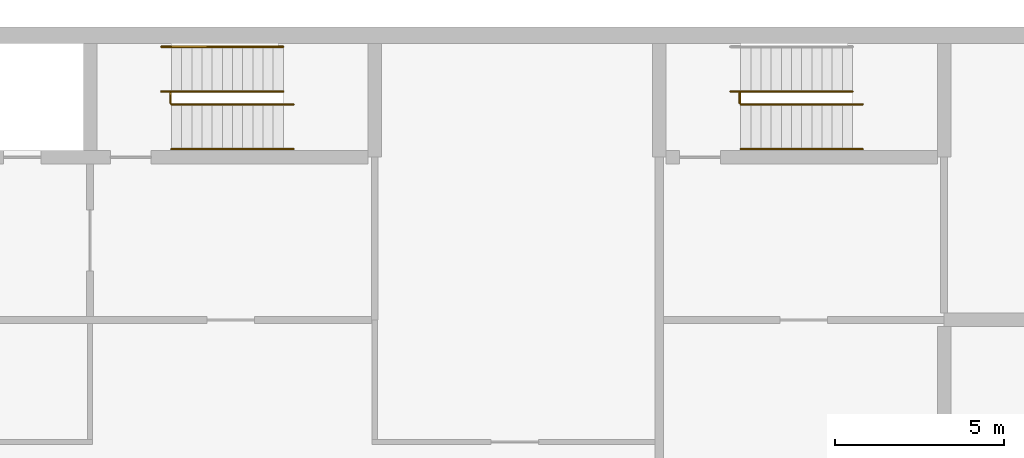
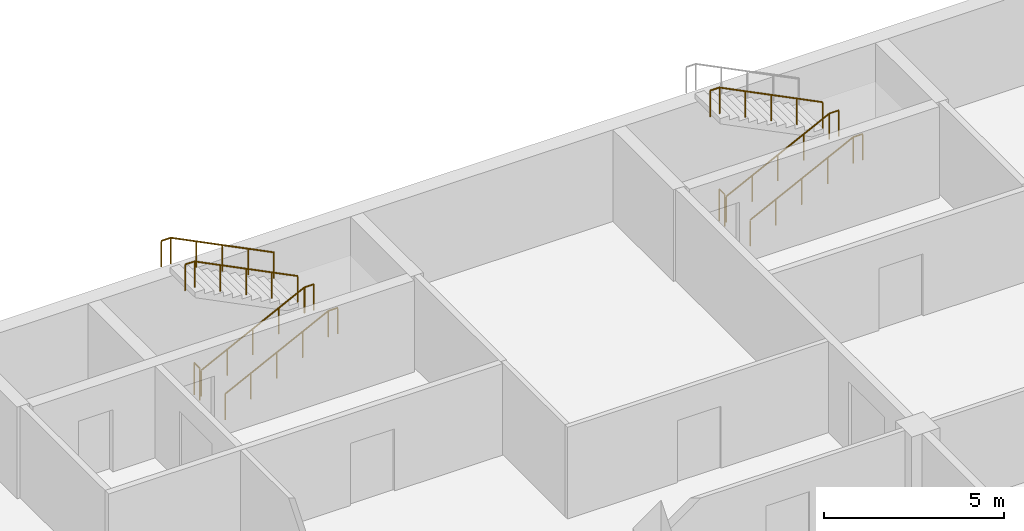
# One storey, part 9 of 12: 9 railings.
"""IFC4 building model written with IfcOpenShell, lengths in metres."""

from ifc_helpers import new_model, si_unit, direction, frame, origin, origin_2d, place, context, subcontext, project, spatial, circle, extrude, material, type_object, element, save


model = new_model("IFC4")

# Units and contexts
model_context = context("Model", 3, precision=1e-05, world=origin(), true_north=direction((0.0, 1.0)))
body_context = subcontext(model_context, "Body", "Model", "MODEL_VIEW")
ifc_project = project(units=[si_unit("LENGTHUNIT", "METRE"), si_unit("AREAUNIT", "SQUARE_METRE"), si_unit("VOLUMEUNIT", "CUBIC_METRE"), si_unit("PLANEANGLEUNIT", "RADIAN"), si_unit("MASSUNIT", "GRAM", prefix="KILO")], contexts=[model_context])

# Site, building, storey
site_placement = place(None, origin())
site = spatial("IfcSite", under=ifc_project, at=site_placement, CompositionType="ELEMENT")
building_placement = place(site_placement, origin())
building = spatial("IfcBuilding", under=site, at=building_placement, Name="Yavir Park General Hospital", CompositionType="ELEMENT")
storey_placement = place(building_placement, frame((0.0, 0.0, -7.800048828125)))
storey = spatial("IfcBuildingStorey", under=building, at=storey_placement, Name="B2", CompositionType="ELEMENT", Elevation=-7.800048828125)

# Railings
ifc_material_1 = material(Name="Steel balustrade with infill rods", Category="steel")
railing_type_1 = type_object("IfcRailingType", Name="Stair guard, steel balustrade 1100 mm", PredefinedType="GUARDRAIL", material=ifc_material_1)
for number, where, name in (
    (1, (52.77001953125, 31.60009765625, 0.0), "Stair well guard BS2 B2"),
    (2, (69.570068359375, 31.60009765625, 0.0), "Stair well guard BS3 B2"),
):
    element("IfcRailing", number, at=place(storey_placement, frame(where)), inside=storey, type_object=railing_type_1, Name=name, PredefinedType="GUARDRAIL", context=body_context, shape_type="SweptSolid", body=[
        extrude(circle(Radius=0.02392578125, at=origin_2d()), frame((0.0, 0.0, 1.076171875), z_axis=(0.0, 1.0, 0.0), x_axis=(-1.0, 0.0, 0.0)), (0.0, 0.0, 1.0), 0.2998046875),
        extrude(circle(Radius=0.02099609375, at=origin_2d()), origin(), (0.0, 0.0, 1.0), 1.052001953125),
        extrude(circle(Radius=0.02099609375, at=origin_2d()), frame((0.0, 0.2998046875, 0.0)), (0.0, 0.0, 1.0), 1.052001953125),
    ])
ifc_material_2 = material(Name="Stainless steel tube 48 mm", Category="steel")
railing_type_2 = type_object("IfcRailingType", Name="Stair handrail, steel tube, 900 mm above the nosings", PredefinedType="HANDRAIL", material=ifc_material_2)
for number, where, name in (
    (3, (52.800048828125, 30.239990234375, 0.150146484375), "Handrail BS2 B2 1"),
    (4, (52.800048828125, 31.56005859375, 0.150146484375), "Handrail BS2 B2 2"),
):
    element("IfcRailing", number, at=place(storey_placement, frame(where)), inside=storey, type_object=railing_type_2, Name=name, PredefinedType="HANDRAIL", context=body_context, shape_type="SweptSolid", body=[
        extrude(circle(Radius=0.02392578125, at=origin_2d()), frame((0.0, 0.0, 0.8759765625), z_axis=(0.894440424912, 0.0, 0.447187126696), x_axis=(0.0, 1.0, 0.0)), (0.0, 0.0, 1.0), 3.689453125),
        extrude(circle(Radius=0.02392578125, at=origin_2d()), frame((3.300048828125, 0.0, 2.52587890625), z_axis=(1.0, 0.0, 0.0), x_axis=(0.0, 1.0, 0.0)), (0.0, 0.0, 1.0), 0.2998046875),
        extrude(circle(Radius=0.02099609375, at=origin_2d()), origin(), (0.0, 0.0, 1.0), 0.851806640625),
        extrude(circle(Radius=0.02099609375, at=origin_2d()), frame((0.824951171875, 0.0, 0.41259765625)), (0.0, 0.0, 1.0), 0.851806640625),
        extrude(circle(Radius=0.02099609375, at=origin_2d()), frame((1.64990234375, 0.0, 0.824951171875)), (0.0, 0.0, 1.0), 0.851806640625),
        extrude(circle(Radius=0.02099609375, at=origin_2d()), frame((2.47509765625, 0.0, 1.2373046875)), (0.0, 0.0, 1.0), 0.851806640625),
        extrude(circle(Radius=0.02099609375, at=origin_2d()), frame((3.300048828125, 0.0, 1.64990234375)), (0.0, 0.0, 1.0), 0.851806640625),
        extrude(circle(Radius=0.02099609375, at=origin_2d()), frame((3.599853515625, 0.0, 1.64990234375)), (0.0, 0.0, 1.0), 0.851806640625),
    ])
for number, where, name in (
    (5, (56.10009765625, 33.260009765625, 1.949951171875), "Handrail BS2 B2 3"),
    (6, (56.10009765625, 31.93994140625, 1.949951171875), "Handrail BS2 B2 4"),
):
    element("IfcRailing", number, at=place(storey_placement, frame(where)), inside=storey, type_object=railing_type_2, Name=name, PredefinedType="HANDRAIL", context=body_context, shape_type="SweptSolid", body=[
        extrude(circle(Radius=0.02392578125, at=origin_2d()), frame((0.0, 0.0, 0.8759765625), z_axis=(-0.894413956696, 0.0, 0.447240063129), x_axis=(0.0, -1.0, 0.0)), (0.0, 0.0, 1.0), 3.689697265625),
        extrude(circle(Radius=0.02392578125, at=origin_2d()), frame((-3.300048828125, 0.0, 2.52587890625), z_axis=(-1.0, 0.0, 0.0), x_axis=(0.0, -1.0, 0.0)), (0.0, 0.0, 1.0), 0.300048828125),
        extrude(circle(Radius=0.02099609375, at=origin_2d()), origin(), (0.0, 0.0, 1.0), 0.851806640625),
        extrude(circle(Radius=0.02099609375, at=origin_2d()), frame((-0.824951171875, 0.0, 0.41259765625)), (0.0, 0.0, 1.0), 0.851806640625),
        extrude(circle(Radius=0.02099609375, at=origin_2d()), frame((-1.64990234375, 0.0, 0.8251953125)), (0.0, 0.0, 1.0), 0.851806640625),
        extrude(circle(Radius=0.02099609375, at=origin_2d()), frame((-2.47509765625, 0.0, 1.237548828125)), (0.0, 0.0, 1.0), 0.851806640625),
        extrude(circle(Radius=0.02099609375, at=origin_2d()), frame((-3.300048828125, 0.0, 1.650146484375)), (0.0, 0.0, 1.0), 0.851806640625),
        extrude(circle(Radius=0.02099609375, at=origin_2d()), frame((-3.60009765625, 0.0, 1.650146484375)), (0.0, 0.0, 1.0), 0.851806640625),
    ])
for number, where, name in (
    (7, (69.60009765625, 30.239990234375, 0.150146484375), "Handrail BS3 B2 1"),
    (8, (69.60009765625, 31.56005859375, 0.150146484375), "Handrail BS3 B2 2"),
):
    element("IfcRailing", number, at=place(storey_placement, frame(where)), inside=storey, type_object=railing_type_2, Name=name, PredefinedType="HANDRAIL", context=body_context, shape_type="SweptSolid", body=[
        extrude(circle(Radius=0.02392578125, at=origin_2d()), frame((0.0, 0.0, 0.8759765625), z_axis=(0.894427191, 0.0, 0.4472135955), x_axis=(0.0, 1.0, 0.0)), (0.0, 0.0, 1.0), 3.689208984375),
        extrude(circle(Radius=0.02392578125, at=origin_2d()), frame((3.2998046875, 0.0, 2.52587890625), z_axis=(1.0, 0.0, 0.0), x_axis=(0.0, 1.0, 0.0)), (0.0, 0.0, 1.0), 0.300048828125),
        extrude(circle(Radius=0.02099609375, at=origin_2d()), origin(), (0.0, 0.0, 1.0), 0.851806640625),
        extrude(circle(Radius=0.02099609375, at=origin_2d()), frame((0.824951171875, 0.0, 0.41259765625)), (0.0, 0.0, 1.0), 0.851806640625),
        extrude(circle(Radius=0.02099609375, at=origin_2d()), frame((1.64990234375, 0.0, 0.824951171875)), (0.0, 0.0, 1.0), 0.851806640625),
        extrude(circle(Radius=0.02099609375, at=origin_2d()), frame((2.474853515625, 0.0, 1.2373046875)), (0.0, 0.0, 1.0), 0.851806640625),
        extrude(circle(Radius=0.02099609375, at=origin_2d()), frame((3.2998046875, 0.0, 1.64990234375)), (0.0, 0.0, 1.0), 0.851806640625),
        extrude(circle(Radius=0.02099609375, at=origin_2d()), frame((3.599853515625, 0.0, 1.64990234375)), (0.0, 0.0, 1.0), 0.851806640625),
    ])
railing_placement = place(storey_placement, frame((72.89990234375, 31.93994140625, 1.949951171875)))
element("IfcRailing", 9, at=railing_placement, inside=storey, type_object=railing_type_2, Name="Handrail BS3 B2 4", PredefinedType="HANDRAIL", context=body_context, shape_type="SweptSolid", body=[
    extrude(circle(Radius=0.02392578125, at=origin_2d()), frame((0.0, 0.0, 0.8759765625), z_axis=(-0.894400720042, 0.0, 0.447266533499), x_axis=(0.0, -1.0, 0.0)), (0.0, 0.0, 1.0), 3.689453125),
    extrude(circle(Radius=0.02392578125, at=origin_2d()), frame((-3.2998046875, 0.0, 2.52587890625), z_axis=(-1.0, 0.0, 0.0), x_axis=(0.0, -1.0, 0.0)), (0.0, 0.0, 1.0), 0.300048828125),
    extrude(circle(Radius=0.02099609375, at=origin_2d()), origin(), (0.0, 0.0, 1.0), 0.851806640625),
    extrude(circle(Radius=0.02099609375, at=origin_2d()), frame((-0.824951171875, 0.0, 0.41259765625)), (0.0, 0.0, 1.0), 0.851806640625),
    extrude(circle(Radius=0.02099609375, at=origin_2d()), frame((-1.64990234375, 0.0, 0.8251953125)), (0.0, 0.0, 1.0), 0.851806640625),
    extrude(circle(Radius=0.02099609375, at=origin_2d()), frame((-2.474853515625, 0.0, 1.237548828125)), (0.0, 0.0, 1.0), 0.851806640625),
    extrude(circle(Radius=0.02099609375, at=origin_2d()), frame((-3.2998046875, 0.0, 1.650146484375)), (0.0, 0.0, 1.0), 0.851806640625),
    extrude(circle(Radius=0.02099609375, at=origin_2d()), frame((-3.599853515625, 0.0, 1.650146484375)), (0.0, 0.0, 1.0), 0.851806640625),
])

save(model, "model.ifc")
